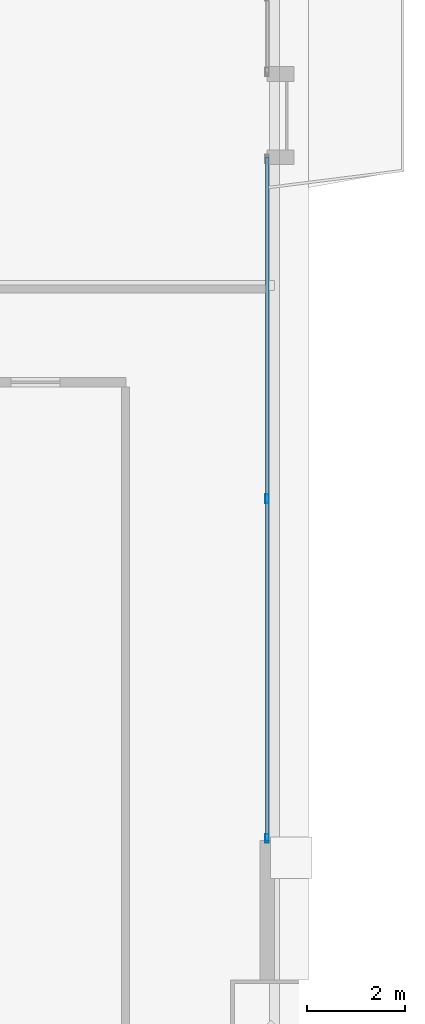
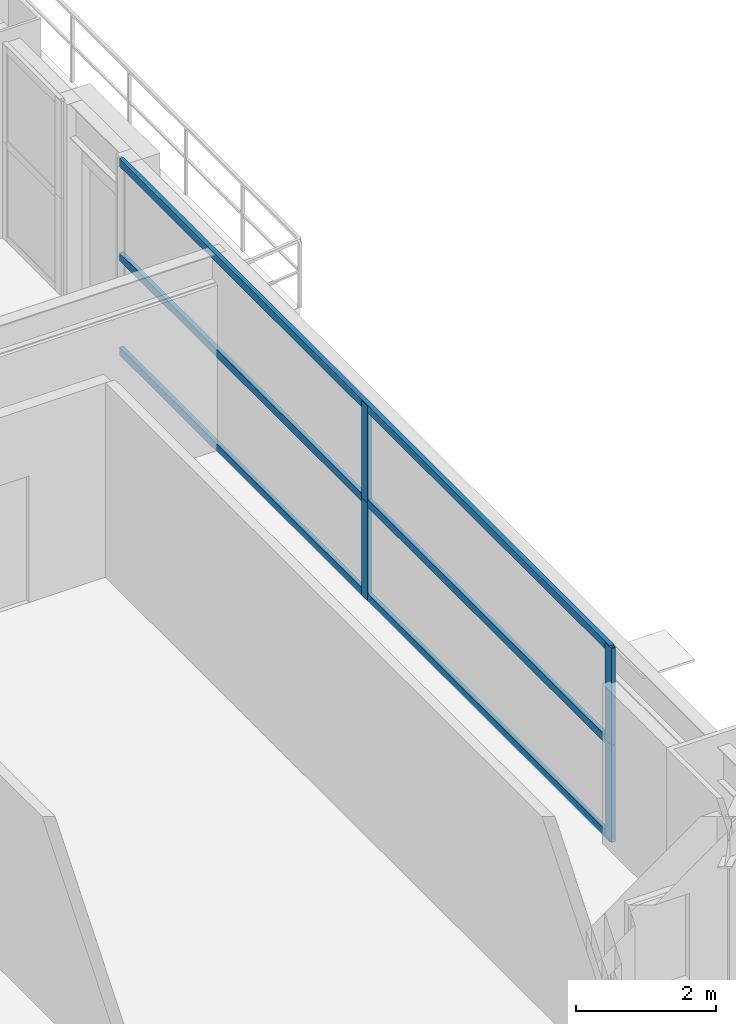
# One storey, part 18 of 43: 7 members, 1 element without a shape of its own.
"""IFC4 building model written with IfcOpenShell, lengths in metres."""

from ifc_helpers import new_model, si_unit, direction, frame, origin, origin_2d, place, context, subcontext, project, spatial, hollow_rectangle, extrude, source, transform, mapped, material, layer, layer_set, material_profile, profile_set, type_object, element, aggregate, save


model = new_model("IFC4")

# Units and contexts
model_context = context("Model", 3, precision=1e-05, world=origin(), true_north=direction((0.0, 1.0)))
body_context = subcontext(model_context, "Body", "Model", "MODEL_VIEW")
ifc_project = project(units=[si_unit("LENGTHUNIT", "METRE"), si_unit("AREAUNIT", "SQUARE_METRE"), si_unit("VOLUMEUNIT", "CUBIC_METRE"), si_unit("PLANEANGLEUNIT", "RADIAN"), si_unit("MASSUNIT", "GRAM", prefix="KILO"), si_unit("THERMODYNAMICTEMPERATUREUNIT", "KELVIN"), si_unit("POWERUNIT", "WATT")], contexts=[model_context])

# Site, building, storey
site_placement = place(None, origin())
site = spatial("IfcSite", under=ifc_project, at=site_placement, CompositionType="ELEMENT")
building_placement = place(site_placement, origin())
building = spatial("IfcBuilding", under=site, at=building_placement, Name="Yuzanri Waterfront Tower", CompositionType="ELEMENT")
storey_placement = place(building_placement, frame((0.0, 0.0, 71.199951171875)))
storey = spatial("IfcBuildingStorey", under=building, at=storey_placement, Name="L18", CompositionType="ELEMENT", Elevation=71.199951171875)

# Curtain wall, members
ifc_material_1 = material(Name="Anodized Architectural Bronze", Category="metal")
ifc_layer = layer(ifc_material_1, 0.159912109375)
ifc_layer_set = layer_set([ifc_layer], Name="Anodized Architectural Bronze")
curtain_wall_type = type_object("IfcCurtainWallType", Name="Anodized Bronze Hotel Lower-Tier Recessed Unitized Curtain Wall 8100", PredefinedType="NOTDEFINED", material=ifc_layer_set)
curtain_wall_placement = place(storey_placement, origin())
curtain_wall = element("IfcCurtainWall", 1, at=curtain_wall_placement, inside=storey, type_object=curtain_wall_type, Name="L18 Curtain Wall CW-L18-EL1", PredefinedType="NOTDEFINED")
ifc_material_2 = material(Name="Anodized Architectural Bronze", Category="metal")
ifc_material_profile_1 = material_profile(ifc_material_2, hollow_rectangle(XDim=0.070068359375, YDim=0.179931640625, WallThickness=0.00390625, at=origin_2d()), Name="CWM 70x180")
ifc_profile_set_1 = profile_set([ifc_material_profile_1], Name="Anodized Architectural Bronze")
member_type_1 = type_object("IfcMemberType", Name="Anodized Bronze Standard Curtain-Wall Mullion 70x180", PredefinedType="MULLION", material=ifc_profile_set_1)
shared_shape_1 = source(origin(), body_context, "Body", "SweptSolid", [
    extrude(hollow_rectangle(XDim=0.070068359375, YDim=0.179931640625, WallThickness=0.00390625, at=origin_2d()), origin(), (0.0, 0.0, 1.0), 1.68798828125),
])
member_1_placement = place(storey_placement, frame((61.949951171875, 8.090087890625, 0.0), z_axis=(0.0, 0.0, 1.0), x_axis=(1.0, 0.0, 0.0)))
member_1 = element("IfcMember", 2, at=member_1_placement, type_object=member_type_1, Name="CW-L18-EL1 Lower Mullion 00", PredefinedType="MULLION", context=body_context, shape_type="MappedRepresentation", body=[
    mapped(shared_shape_1, transform((0.0, 0.0, 0.0), scale=1.0)),
])
member_2_placement = place(storey_placement, frame((61.949951171875, 8.090087890625, 1.692138671875), z_axis=(0.0, 0.0, 1.0), x_axis=(1.0, 0.0, 0.0)))
member_2 = element("IfcMember", 3, at=member_2_placement, type_object=member_type_1, Name="CW-L18-EL1 Upper Mullion 00", PredefinedType="MULLION", context=body_context, shape_type="MappedRepresentation", body=[
    mapped(shared_shape_1, transform((0.0, 0.0, 0.0), scale=1.0)),
])
member_3_placement = place(storey_placement, frame((61.949951171875, 15.03759765625, 0.0), z_axis=(0.0, 0.0, 1.0), x_axis=(1.0, 0.0, 0.0)))
member_3 = element("IfcMember", 4, at=member_3_placement, type_object=member_type_1, Name="CW-L18-EL1 Lower Mullion 01", PredefinedType="MULLION", context=body_context, shape_type="MappedRepresentation", body=[
    mapped(shared_shape_1, transform((0.0, 0.0, 0.0), scale=1.0)),
])
member_4_placement = place(storey_placement, frame((61.949951171875, 15.03759765625, 1.692138671875), z_axis=(0.0, 0.0, 1.0), x_axis=(1.0, 0.0, 0.0)))
member_4 = element("IfcMember", 5, at=member_4_placement, type_object=member_type_1, Name="CW-L18-EL1 Upper Mullion 01", PredefinedType="MULLION", context=body_context, shape_type="MappedRepresentation", body=[
    mapped(shared_shape_1, transform((0.0, 0.0, 0.0), scale=1.0)),
])
ifc_material_3 = material(Name="Anodized Architectural Bronze", Category="metal")
ifc_material_profile_2 = material_profile(ifc_material_3, hollow_rectangle(XDim=0.070068359375, YDim=0.135009765625, WallThickness=0.00341796875, at=origin_2d()), Name="CWT 70x135")
ifc_profile_set_2 = profile_set([ifc_material_profile_2], Name="Anodized Architectural Bronze")
member_type_2 = type_object("IfcMemberType", Name="Anodized Bronze Standard Curtain-Wall Transom 70x135", PredefinedType="USERDEFINED", material=ifc_profile_set_2)
shared_shape_2 = source(origin(), body_context, "Body", "SweptSolid", [
    extrude(hollow_rectangle(XDim=0.070068359375, YDim=0.135009765625, WallThickness=0.00341796875, at=origin_2d()), origin(), (0.0, 0.0, 1.0), 13.974853515625),
])
member_5_placement = place(storey_placement, frame((61.949951171875, 8.050048828125, 0.050048828125), z_axis=(0.0, 1.0, 0.0), x_axis=(-1.0, 0.0, 0.0)))
member_5 = element("IfcMember", 6, at=member_5_placement, type_object=member_type_2, Name="CW-L18-EL1 Transom 1", ObjectType="TRANSOM", PredefinedType="USERDEFINED", context=body_context, shape_type="MappedRepresentation", body=[
    mapped(shared_shape_2, transform((0.0, 0.0, 0.0), scale=1.0)),
])
member_6_placement = place(storey_placement, frame((61.949951171875, 8.050048828125, 1.68994140625), z_axis=(0.0, 1.0, 0.0), x_axis=(-1.0, 0.0, 0.0)))
member_6 = element("IfcMember", 7, at=member_6_placement, type_object=member_type_2, Name="CW-L18-EL1 Transom 2", ObjectType="TRANSOM", PredefinedType="USERDEFINED", context=body_context, shape_type="MappedRepresentation", body=[
    mapped(shared_shape_2, transform((0.0, 0.0, 0.0), scale=1.0)),
])
member_7_placement = place(storey_placement, frame((61.949951171875, 8.050048828125, 3.330078125), z_axis=(0.0, 1.0, 0.0), x_axis=(-1.0, 0.0, 0.0)))
member_7 = element("IfcMember", 8, at=member_7_placement, type_object=member_type_2, Name="CW-L18-EL1 Transom 3", ObjectType="TRANSOM", PredefinedType="USERDEFINED", context=body_context, shape_type="MappedRepresentation", body=[
    mapped(shared_shape_2, transform((0.0, 0.0, 0.0), scale=1.0)),
])
aggregate(curtain_wall, [member_1, member_2, member_3, member_4, member_5, member_6, member_7])

save(model, "model.ifc")
